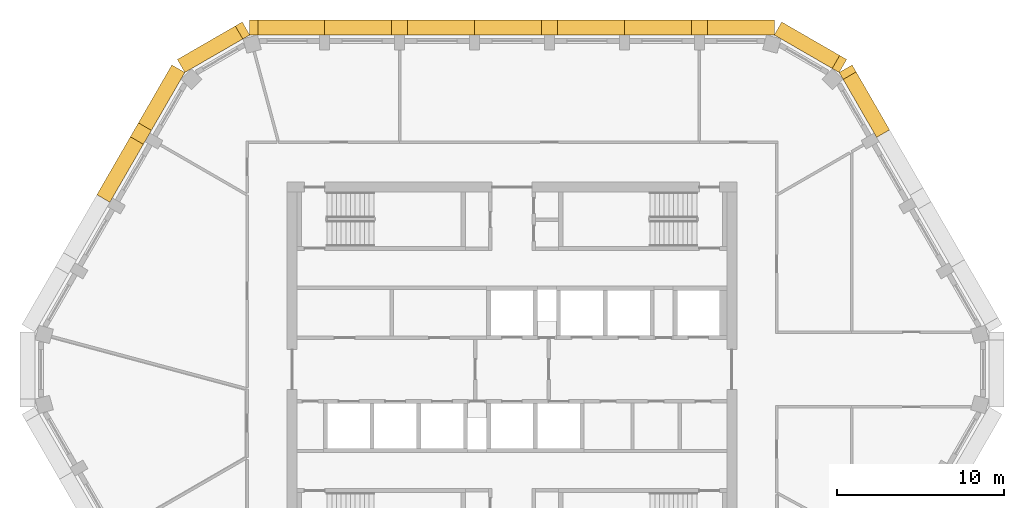
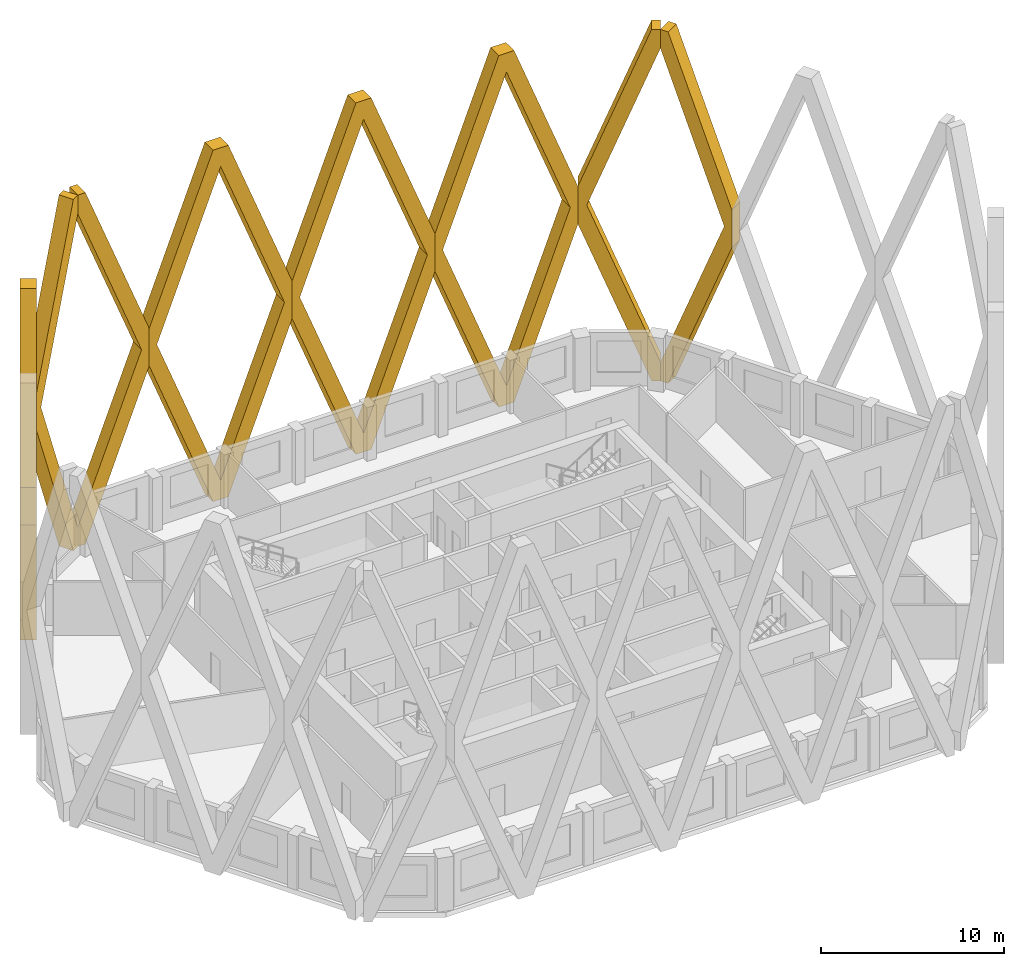
# One storey, part 14 of 14: 8 coverings.
"""IFC4 building model written with IfcOpenShell, lengths in metres."""

from ifc_helpers import new_model, si_unit, direction, frame, origin, place, context, subcontext, project, spatial, polyline, outline, extrude, material, type_object, element, save


model = new_model("IFC4")

# Units and contexts
model_context = context("Model", 3, precision=1e-05, world=origin(), true_north=direction((0.0, 1.0)))
body_context = subcontext(model_context, "Body", "Model", "MODEL_VIEW")
ifc_project = project(units=[si_unit("LENGTHUNIT", "METRE"), si_unit("AREAUNIT", "SQUARE_METRE"), si_unit("VOLUMEUNIT", "CUBIC_METRE"), si_unit("PLANEANGLEUNIT", "RADIAN"), si_unit("MASSUNIT", "GRAM", prefix="KILO")], contexts=[model_context])

# Site, building, storey
site_placement = place(None, origin())
site = spatial("IfcSite", under=ifc_project, at=site_placement, CompositionType="ELEMENT")
building_placement = place(site_placement, origin())
building = spatial("IfcBuilding", under=site, at=building_placement, Name="Dhurran Vertical Campus", CompositionType="ELEMENT")
storey_placement = place(building_placement, frame((0.0, 0.0, 286.5)))
storey = spatial("IfcBuildingStorey", under=building, at=storey_placement, Name="L71", CompositionType="ELEMENT", Elevation=286.5)

# Coverings
ifc_material = material(Name="Precast concrete C50/60", Category="concrete")
covering_type = type_object("IfcCoveringType", Name="Folded precast fin lattice diamond", PredefinedType="USERDEFINED", material=ifc_material)
covering_1_placement = place(storey_placement, frame((21.897216796875, 13.94140625, 0.0), z_axis=(0.866013897511, 0.50001992892, 0.0), x_axis=(-0.50001992892, 0.866013897511, 0.0)))
element("IfcCovering", 1, at=covering_1_placement, inside=storey, type_object=covering_type, Name="FN1 L71.011", ObjectType="FIN", PredefinedType="USERDEFINED", context=body_context, shape_type="SweptSolid", body=[
    extrude(outline(polyline([(4.017822265625, 0.0), (0.0, 10.4462890625), (0.0, 12.95361328125), (4.017822265625, 23.39990234375), (4.5, 23.39990234375), (4.5, 22.146484375), (0.482177734375, 11.699951171875), (4.5, 1.253662109375), (4.5, 0.0), (4.017822265625, 0.0)])), origin(), (0.0, 0.0, 1.0), 0.89990234375),
])
covering_2_placement = place(storey_placement, frame((19.647216796875, 17.83837890625, 0.0), z_axis=(0.499902469156, 0.866081705922, 0.0), x_axis=(-0.866081705922, 0.499902469156, 0.0)))
element("IfcCovering", 2, at=covering_2_placement, inside=storey, type_object=covering_type, Name="FN1 L71.012", ObjectType="FIN", PredefinedType="USERDEFINED", context=body_context, shape_type="SweptSolid", body=[
    extrude(outline(polyline([(4.5, 10.4462890625), (0.482177734375, 0.0), (0.0, 0.0), (0.0, 1.253662109375), (4.017822265625, 11.699951171875), (0.0, 22.146484375), (0.0, 23.39990234375), (0.482177734375, 23.39990234375), (4.5, 12.95361328125), (4.5, 10.4462890625)])), origin(), (0.0, 0.0, 1.0), 0.900146484375),
])
for number, where, z_axis, x_axis, name in (
    (3, (15.75, 20.08837890625, 0.0), (0.0, 1.0, 0.0), (-1.0, 0.0, 0.0), "FN1 L71.013"),
    (4, (6.75, 20.08837890625, 0.0), (0.0, 1.0, 0.0), (-1.0, 0.0, 0.0), "FN1 L71.014"),
    (5, (-2.25, 20.08837890625, 0.0), (0.0, 1.0, 0.0), (-1.0, 0.0, 0.0), "FN1 L71.015"),
):
    element("IfcCovering", number, at=place(storey_placement, frame(where, z_axis=z_axis, x_axis=x_axis)), inside=storey, type_object=covering_type, Name=name, ObjectType="FIN", PredefinedType="USERDEFINED", context=body_context, shape_type="SweptSolid", body=[
        extrude(outline(polyline([(9.0, 12.95361328125), (9.0, 10.4462890625), (4.982177734375, 0.0), (4.017822265625, 0.0), (0.0, 10.4462890625), (0.0, 12.95361328125), (4.017822265625, 23.39990234375), (4.982177734375, 23.39990234375), (9.0, 12.95361328125)]), holes=[polyline([(8.517822265625, 11.699951171875), (4.5, 22.146484375), (0.482177734375, 11.699951171875), (4.5, 1.253662109375), (8.517822265625, 11.699951171875)])]), origin(), (0.0, 0.0, 1.0), 0.900146484375),
    ])
covering_3_placement = place(storey_placement, frame((-11.25, 20.08837890625, 0.0), z_axis=(0.0, 1.0, 0.0), x_axis=(-1.0, 0.0, 0.0)))
element("IfcCovering", 6, at=covering_3_placement, inside=storey, type_object=covering_type, Name="FN1 L71.016", ObjectType="FIN", PredefinedType="USERDEFINED", context=body_context, shape_type="SweptSolid", body=[
    extrude(outline(polyline([(4.017822265625, 0.0), (0.0, 10.4462890625), (0.0, 12.95361328125), (4.017822265625, 23.39990234375), (4.5, 23.39990234375), (4.5, 22.146484375), (0.482177734375, 11.699951171875), (4.5, 1.253662109375), (4.5, 0.0), (4.017822265625, 0.0)])), origin(), (0.0, 0.0, 1.0), 0.900146484375),
])
covering_4_placement = place(storey_placement, frame((-15.75, 20.08837890625, 0.0), z_axis=(-0.499902469156, 0.866081705922, 0.0), x_axis=(-0.866081705922, -0.499902469156, 0.0)))
element("IfcCovering", 7, at=covering_4_placement, inside=storey, type_object=covering_type, Name="FN1 L71.017", ObjectType="FIN", PredefinedType="USERDEFINED", context=body_context, shape_type="SweptSolid", body=[
    extrude(outline(polyline([(4.5, 10.4462890625), (0.482177734375, 0.0), (0.0, 0.0), (0.0, 1.253662109375), (4.017822265625, 11.699951171875), (0.0, 22.146484375), (0.0, 23.39990234375), (0.482177734375, 23.39990234375), (4.5, 12.95361328125), (4.5, 10.4462890625)])), origin(), (0.0, 0.0, 1.0), 0.900146484375),
])
covering_5_placement = place(storey_placement, frame((-19.647216796875, 17.83837890625, 0.0), z_axis=(-0.865896406789, 0.500223362819, 0.0), x_axis=(-0.500223362819, -0.865896406789, 0.0)))
element("IfcCovering", 8, at=covering_5_placement, inside=storey, type_object=covering_type, Name="FN1 L71.018", ObjectType="FIN", PredefinedType="USERDEFINED", context=body_context, shape_type="SweptSolid", body=[
    extrude(outline(polyline([(9.0, 12.95361328125), (9.0, 10.4462890625), (4.982177734375, 0.0), (4.017822265625, 0.0), (0.0, 10.4462890625), (0.0, 12.95361328125), (4.017822265625, 23.39990234375), (4.982177734375, 23.39990234375), (9.0, 12.95361328125)]), holes=[polyline([(8.517822265625, 11.699951171875), (4.5, 22.146484375), (0.482177734375, 11.699951171875), (4.5, 1.253662109375), (8.517822265625, 11.699951171875)])]), origin(), (0.0, 0.0, 1.0), 0.89990234375),
])

save(model, "model.ifc")
